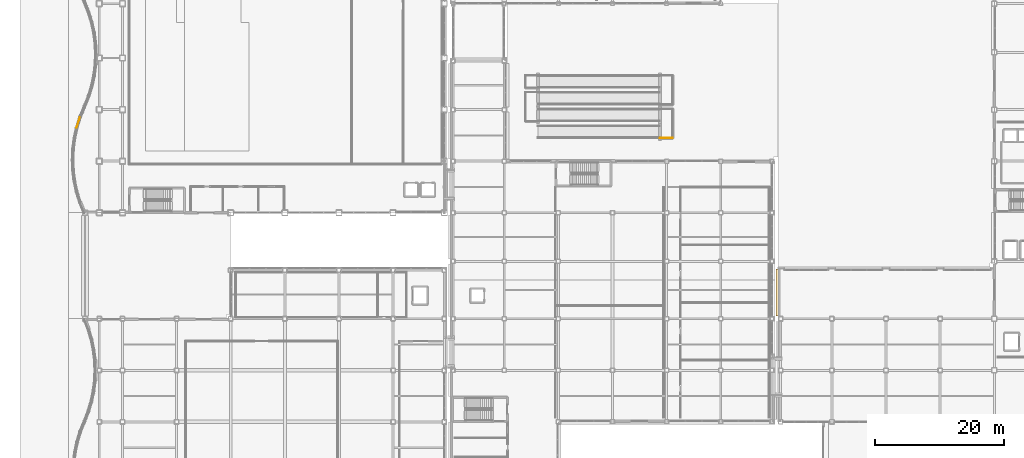
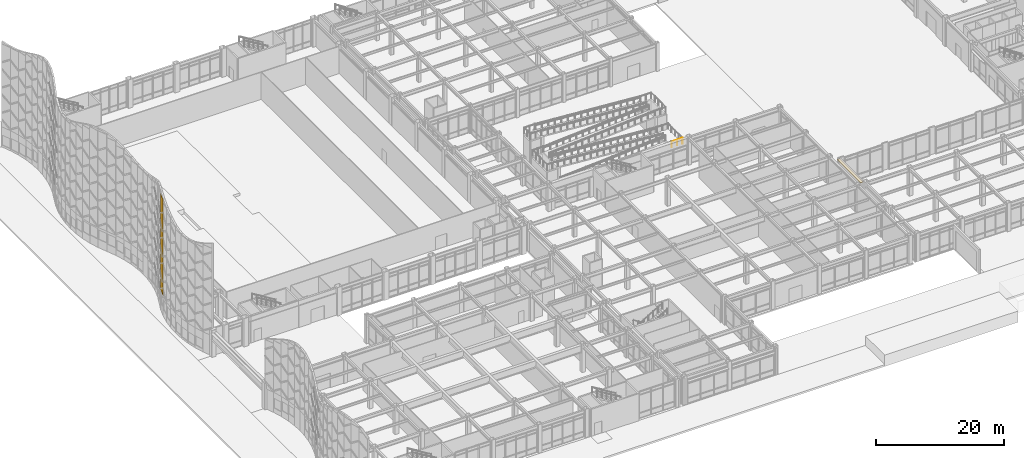
# One storey, part 151 of 165: 2 coverings, 1 railing.
"""IFC4 building model written with IfcOpenShell, lengths in metres."""

import ifcopenshell
import ifcopenshell.guid

model = None  # the IFC model being written
_history = None  # IfcOwnerHistory: only IFC2X3 demands one
_inside = {}  # id of a spatial element -> (the spatial element, [elements in it])
_under = {}  # id of a project, library or spatial element -> (it, [spatial elements below it])
_declared = {}  # id of a project -> (the project, [libraries it declares])
_typed = {}  # id of a type object -> (the type object, [elements of that type])
_made_of = {}  # id of a material, layer set ... -> (it, [elements and type objects made of it])


def new_model(schema):
    """Start an empty IFC model of exactly this schema.

    Asked for "IFC4X3", IfcOpenShell would pick the latest addendum, in which some entities
    have other attributes; the version numbers below select the first issue.
    IFC2X3 requires an IfcOwnerHistory on every rooted entity: one is made here for all.
    """
    global model, _history
    if schema == "IFC4X3":
        model = ifcopenshell.file(schema_version=(4, 3, 0, 0))
    else:
        model = ifcopenshell.file(schema=schema)
    _inside.clear()
    _under.clear()
    _declared.clear()
    _typed.clear()
    _made_of.clear()
    _history = None
    if model.schema == "IFC2X3":
        org = make("IfcOrganization", Name="unknown")
        user = make(
            "IfcPersonAndOrganization",
            ThePerson=make("IfcPerson", FamilyName="unknown"),
            TheOrganization=org,
        )
        app = make(
            "IfcApplication",
            ApplicationDeveloper=org,
            Version="unknown",
            ApplicationFullName="unknown",
            ApplicationIdentifier="unknown",
        )
        _history = make(
            "IfcOwnerHistory",
            OwningUser=user,
            OwningApplication=app,
            ChangeAction="ADDED",
            CreationDate=0,
        )
    return model


def make(cls, **values):
    """One entity of the class cls with the attributes given. An attribute that is None is left unset."""
    return model.create_entity(
        cls, **{name: value for name, value in values.items() if value is not None}
    )


def rooted(cls, **values):
    """An entity with a GlobalId (a new one), such as an element, a storey or a relation."""
    return make(cls, GlobalId=ifcopenshell.guid.new(), OwnerHistory=_history, **values)


def si_unit(unit_type, name, prefix=None):
    """IfcSIUnit, for example si_unit("LENGTHUNIT", "METRE", prefix="MILLI")."""
    return make("IfcSIUnit", UnitType=unit_type, Prefix=prefix, Name=name)


def assignment(units):
    """IfcUnitAssignment: the units of a project."""
    return None if units is None else make("IfcUnitAssignment", Units=units)


def point(xyz):
    """IfcCartesianPoint."""
    return None if xyz is None else make("IfcCartesianPoint", Coordinates=xyz)


def direction(xyz):
    """IfcDirection."""
    return None if xyz is None else make("IfcDirection", DirectionRatios=xyz)


def frame(location, z_axis=None, x_axis=None):
    """IfcAxis2Placement3D, a coordinate frame: its origin and axes. An axis left out is left unset."""
    return make(
        "IfcAxis2Placement3D",
        Location=point(location),
        Axis=direction(z_axis),
        RefDirection=direction(x_axis),
    )


def frame_2d(location, x_axis=None):
    """IfcAxis2Placement2D, a coordinate frame in the plane: its origin and x axis."""
    return make(
        "IfcAxis2Placement2D", Location=point(location), RefDirection=direction(x_axis)
    )


def origin():
    """The frame at (0, 0, 0) with its axes left unset."""
    return frame((0.0, 0.0, 0.0))


def origin_2d():
    """The frame at (0, 0) in the plane with its x axis left unset."""
    return frame_2d((0.0, 0.0))


def place(relative_to, where):
    """IfcLocalPlacement: puts the frame where relative to a parent placement (None: the world)."""
    return make(
        "IfcLocalPlacement", PlacementRelTo=relative_to, RelativePlacement=where
    )


def context(
    kind, dimensions, precision=None, world=None, true_north=None, identifier=None
):
    """IfcGeometricRepresentationContext, for example the 3D "Model" context."""
    return make(
        "IfcGeometricRepresentationContext",
        ContextIdentifier=identifier,
        ContextType=kind,
        CoordinateSpaceDimension=dimensions,
        Precision=precision,
        WorldCoordinateSystem=world,
        TrueNorth=true_north,
    )


def subcontext(parent, identifier, kind, view, scale=None):
    """IfcGeometricRepresentationSubContext, for example "Body" below "Model"."""
    return make(
        "IfcGeometricRepresentationSubContext",
        ContextIdentifier=identifier,
        ContextType=kind,
        ParentContext=parent,
        TargetScale=scale,
        TargetView=view,
    )


def project(units=None, contexts=None):
    """IfcProject with its units and contexts."""
    return rooted(
        "IfcProject",
        Name="project",
        RepresentationContexts=contexts,
        UnitsInContext=assignment(units),
    )


def spatial(cls, under=None, at=None, **own):
    """A site, building, storey or space (cls), placed at a placement, below another one or the project."""
    s = rooted(cls, ObjectPlacement=at, **own)
    if under is not None:
        _under.setdefault(under.id(), (under, []))[1].append(s)
    return s


def profile(cls, at=None, kind="AREA", **sizes):
    """A parametric profile (cls). Its sizes go by their IFC names, for example OverallWidth=200.0."""
    return make(cls, ProfileType=kind, Position=at, **sizes)


def rectangle(**sizes):
    """IfcRectangleProfileDef."""
    return profile("IfcRectangleProfileDef", **sizes)


def circle(**sizes):
    """IfcCircleProfileDef."""
    return profile("IfcCircleProfileDef", **sizes)


def extrude(swept, where, along, depth):
    """IfcExtrudedAreaSolid: the profile swept, set in the frame where, extruded along a direction by depth."""
    return make(
        "IfcExtrudedAreaSolid",
        SweptArea=swept,
        Position=where,
        ExtrudedDirection=direction(along),
        Depth=depth,
    )


def shape(context_of_items, identifier, shape_type, items):
    """IfcShapeRepresentation: the items that make up one representation, for example the "Body"."""
    return make(
        "IfcShapeRepresentation",
        ContextOfItems=context_of_items,
        RepresentationIdentifier=identifier,
        RepresentationType=shape_type,
        Items=items,
    )


def material(Name=None, Category=None):
    """IfcMaterial."""
    return make("IfcMaterial", Name=Name, Category=Category)


def layer(
    of_material, thickness, ventilated=None, Name=None, Category=None, Priority=None
):
    """IfcMaterialLayer: one layer of a wall or slab, of a material (None: an air gap)."""
    return make(
        "IfcMaterialLayer",
        Material=of_material,
        LayerThickness=thickness,
        IsVentilated=ventilated,
        Name=Name,
        Category=Category,
        Priority=Priority,
    )


def layer_set(layers, Name=None):
    """IfcMaterialLayerSet."""
    return make("IfcMaterialLayerSet", MaterialLayers=layers, LayerSetName=Name)


def made_of(thing, what):
    """Note that an element or type object is made of a material, layer set ...; save() writes the relation."""
    if what is not None:
        _made_of.setdefault(what.id(), (what, []))[1].append(thing)
    return thing


def type_object(cls, material=None, **own):
    """A type object (cls), such as IfcWallType, which elements share."""
    return made_of(rooted(cls, **own), material)


def element(
    cls,
    number,
    at=None,
    inside=None,
    cuts=None,
    type_object=None,
    material=None,
    context=None,
    identifier="Body",
    shape_type=None,
    held_by="IfcProductDefinitionShape",
    body=None,
    shapes=None,
    **own,
):
    """One element of the class cls, such as IfcWall. Its Tag is "e" and its number.

    at: its placement. inside: the storey or other place that contains it. cuts: it is an
    opening in that element (IfcRelVoidsElement). A single representation is given by context,
    identifier, shape_type and body (its items); several are given by shapes. held_by: the class
    of the entity that holds the representations. save() writes the other relations.
    """
    e = rooted(cls, Tag="e%d" % number, ObjectPlacement=at, **own)
    if body is not None:
        shapes = [shape(context, identifier, shape_type, body)]
    if shapes is not None:
        e.Representation = make(held_by, Representations=shapes)
    if inside is not None:
        _inside.setdefault(inside.id(), (inside, []))[1].append(e)
    if cuts is not None:
        rooted(
            "IfcRelVoidsElement", RelatingBuildingElement=cuts, RelatedOpeningElement=e
        )
    if type_object is not None:
        _typed.setdefault(type_object.id(), (type_object, []))[1].append(e)
    return made_of(e, material)


def aggregate(whole, parts):
    """IfcRelAggregates: a whole, such as a stair, and the parts it consists of."""
    return rooted("IfcRelAggregates", RelatingObject=whole, RelatedObjects=parts)


def save(model, path):
    """Write the relations noted so far, then the file.

    IfcRelAggregates (storeys below a building ...), IfcRelContainedInSpatialStructure (elements
    in a storey), IfcRelDefinesByType, IfcRelAssociatesMaterial and IfcRelDeclares: one each for
    every whole, place, type object, material and project.
    """
    for whole, parts in _under.values():
        aggregate(whole, parts)
    for where, things in _inside.values():
        rooted(
            "IfcRelContainedInSpatialStructure",
            RelatedElements=things,
            RelatingStructure=where,
        )
    for kind, things in _typed.values():
        rooted("IfcRelDefinesByType", RelatedObjects=things, RelatingType=kind)
    for what, things in _made_of.values():
        rooted("IfcRelAssociatesMaterial", RelatedObjects=things, RelatingMaterial=what)
    for by, libraries in _declared.values():
        rooted("IfcRelDeclares", RelatingContext=by, RelatedDefinitions=libraries)
    model.write(path)


model = new_model("IFC4")

# Units and contexts
model_context = context("Model", 3, precision=1e-05, world=origin(), true_north=direction((0.0, 1.0)))
body_context = subcontext(model_context, "Body", "Model", "MODEL_VIEW")
ifc_project = project(units=[si_unit("LENGTHUNIT", "METRE"), si_unit("AREAUNIT", "SQUARE_METRE"), si_unit("VOLUMEUNIT", "CUBIC_METRE"), si_unit("PLANEANGLEUNIT", "RADIAN"), si_unit("MASSUNIT", "GRAM", prefix="KILO")], contexts=[model_context])

# Site, building, storey
site_placement = place(None, origin())
site = spatial("IfcSite", under=ifc_project, at=site_placement, CompositionType="ELEMENT")
building_placement = place(site_placement, origin())
building = spatial("IfcBuilding", under=site, at=building_placement, Name="Kazehara Bluff Congress Hotel", CompositionType="ELEMENT")
storey_placement = place(building_placement, origin())
storey = spatial("IfcBuildingStorey", under=building, at=storey_placement, Name="L00", CompositionType="ELEMENT", Elevation=0.0)

# Coverings
ifc_material_1 = material(Name="Stone-grey ceramic rainscreen", Category="masonry")
ifc_layer_1 = layer(ifc_material_1, 0.044921875)
ifc_layer_set_1 = layer_set([ifc_layer_1], Name="Stone-grey ceramic rainscreen")
covering_type_1 = type_object("IfcCoveringType", Name="TP-CLD-01", PredefinedType="CLADDING", material=ifc_layer_set_1)
covering_1_placement = place(storey_placement, frame((1.534912109375, 62.425048828125, 3.84765625), z_axis=(0.0, 0.0, 1.0), x_axis=(0.294290541179, 0.955716002468, 0.0)))
element("IfcCovering", 1, at=covering_1_placement, inside=storey, type_object=covering_type_1, Name="Chevron stone-grey ceramic cladding WR-V1-09", PredefinedType="CLADDING", context=body_context, shape_type="SweptSolid", body=[
    extrude(rectangle(XDim=1.695068359375, YDim=0.044921875, at=origin_2d()), origin(), (0.0, 0.0, 1.0), 18.264892578125),
])
ifc_material_2 = material(Name="Anodised aluminium architectural brise-soleil", Category="aluminium")
ifc_layer_2 = layer(ifc_material_2, 0.10009765625)
ifc_layer_set_2 = layer_set([ifc_layer_2], Name="Anodised aluminium architectural brise-soleil")
covering_type_2 = type_object("IfcCoveringType", Name="TP-FAC-FIN", PredefinedType="CLADDING", material=ifc_layer_set_2)
covering_2_placement = place(storey_placement, frame((110.080078125, 36.050048828125, 4.96484375), z_axis=(0.0, 0.0, 1.0), x_axis=(1.0, 0.0, 0.0)))
element("IfcCovering", 2, at=covering_2_placement, inside=storey, type_object=covering_type_2, Name="L00 V5 architectural sun-hood 31", PredefinedType="CLADDING", context=body_context, shape_type="SweptSolid", body=[
    extrude(rectangle(XDim=0.52001953125, YDim=7.300048828125, at=origin_2d()), origin(), (0.0, 0.0, 1.0), 0.10009765625),
])

# Railing
ifc_material_3 = material(Name="Painted galvanised steel", Category="steel")
railing_type = type_object("IfcRailingType", Name="TP-GRD-EXT", PredefinedType="BALUSTRADE", material=ifc_material_3)
railing_placement = place(storey_placement, frame((91.840087890625, 60.0400390625, 1.35009765625)))
element("IfcRailing", 3, at=railing_placement, inside=storey, type_object=railing_type, Name="Accessible bluff garden ramp R2 landing guard L1", PredefinedType="BALUSTRADE", context=body_context, shape_type="SweptSolid", body=[
    extrude(circle(Radius=0.02392578125, at=origin_2d()), frame((0.0, 0.0, 1.076171875), z_axis=(1.0, 0.0, 0.0), x_axis=(0.0, 1.0, 0.0)), (0.0, 0.0, 1.0), 1.919921875),
    extrude(circle(Radius=0.02099609375, at=origin_2d()), origin(), (0.0, 0.0, 1.0), 1.052001953125),
    extrude(circle(Radius=0.02099609375, at=origin_2d()), frame((0.9599609375, 0.0, 0.0)), (0.0, 0.0, 1.0), 1.052001953125),
    extrude(circle(Radius=0.02099609375, at=origin_2d()), frame((1.919921875, 0.0, 0.0)), (0.0, 0.0, 1.0), 1.052001953125),
])

save(model, "model.ifc")
